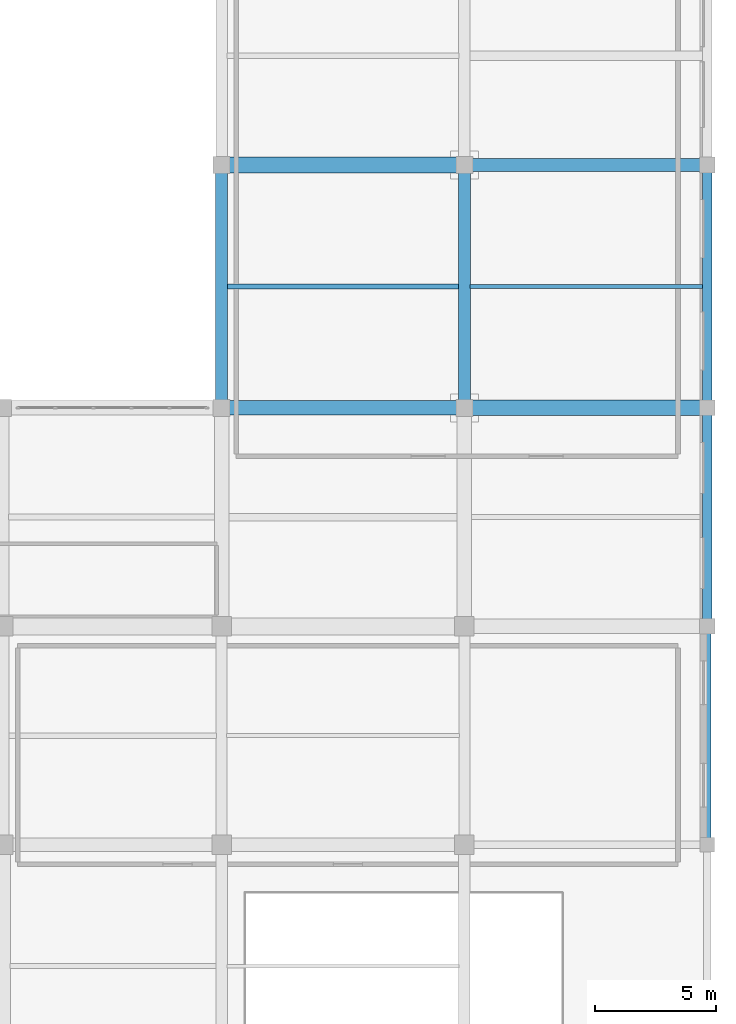
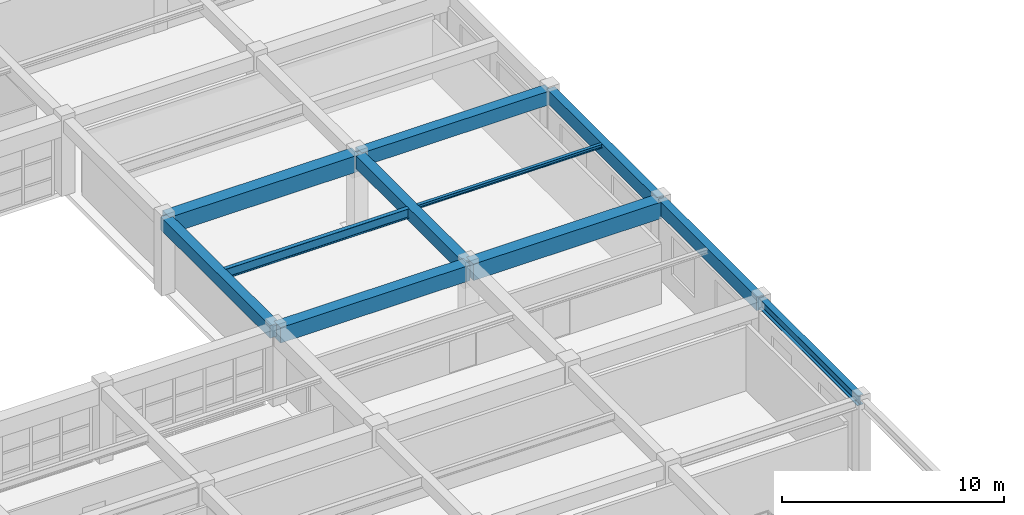
# One storey, part 85 of 133: 11 beams.
"""IFC4 building model written with IfcOpenShell, lengths in metres."""

from ifc_helpers import new_model, si_unit, direction, frame, origin, origin_2d, place, context, subcontext, project, spatial, rectangle, i_section, extrude, material, material_profile, profile_set, type_object, element, save


model = new_model("IFC4")

# Units and contexts
model_context = context("Model", 3, precision=1e-05, world=origin(), true_north=direction((0.0, 1.0)))
body_context = subcontext(model_context, "Body", "Model", "MODEL_VIEW")
ifc_project = project(units=[si_unit("LENGTHUNIT", "METRE"), si_unit("AREAUNIT", "SQUARE_METRE"), si_unit("VOLUMEUNIT", "CUBIC_METRE"), si_unit("PLANEANGLEUNIT", "RADIAN"), si_unit("MASSUNIT", "GRAM", prefix="KILO")], contexts=[model_context])

# Site, building, storey
site_placement = place(None, origin())
site = spatial("IfcSite", under=ifc_project, at=site_placement, CompositionType="ELEMENT")
building_placement = place(site_placement, origin())
building = spatial("IfcBuilding", under=site, at=building_placement, Name="Miravela Opera House", CompositionType="ELEMENT")
storey_placement = place(building_placement, frame((0.0, 0.0, 5.10009765625)))
storey = spatial("IfcBuildingStorey", under=building, at=storey_placement, Name="L01", CompositionType="ELEMENT", Elevation=5.10009765625)

# Beams
ifc_material_1 = material(Name="Concrete C35/45", Category="concrete")
ifc_material_profile_1 = material_profile(ifc_material_1, rectangle(XDim=0.5, YDim=0.699951171875, at=origin_2d()), Name="RC-BM-500X700")
ifc_profile_set_1 = profile_set([ifc_material_profile_1])
beam_type_1 = type_object("IfcBeamType", Name="STR-BM-RC500X700", PredefinedType="BEAM", material=ifc_profile_set_1)
for number, where, z_axis, x_axis, name in (
    (1, (144.0, 84.080078125, 3.809814453125), (0.0, 1.0, 0.0), (-1.0, 0.0, 0.0), "Floor Girder L01 17/J-K"),
    (2, (154.0, 84.080078125, 3.809814453125), (0.0, 1.0, 0.0), (-1.0, 0.0, 0.0), "Floor Girder L01 18/J-K"),
):
    element("IfcBeam", number, at=place(storey_placement, frame(where, z_axis=z_axis, x_axis=x_axis)), inside=storey, type_object=beam_type_1, Name=name, PredefinedType="BEAM", context=body_context, shape_type="SweptSolid", body=[
        extrude(rectangle(XDim=0.5, YDim=0.699951171875, at=origin_2d()), origin(), (0.0, 0.0, 1.0), 9.83984375),
    ])
ifc_material_profile_2 = material_profile(ifc_material_1, rectangle(XDim=0.550048828125, YDim=0.75, at=origin_2d()), Name="RC-BM-550X750")
ifc_profile_set_2 = profile_set([ifc_material_profile_2])
beam_type_2 = type_object("IfcBeamType", Name="STR-BM-RC550X750", PredefinedType="BEAM", material=ifc_profile_set_2)
beam_1_placement = place(storey_placement, frame((154.080078125, 94.0, 3.784912109375), z_axis=(1.0, 0.0, 0.0), x_axis=(0.0, 1.0, 0.0)))
element("IfcBeam", 3, at=beam_1_placement, inside=storey, type_object=beam_type_2, Name="Floor Girder L01 18-19/K", PredefinedType="BEAM", context=body_context, shape_type="SweptSolid", body=[
    extrude(rectangle(XDim=0.550048828125, YDim=0.75, at=origin_2d()), origin(), (0.0, 0.0, 1.0), 9.83984375),
])
ifc_material_2 = material(Name="Concrete C40/50", Category="concrete")
ifc_material_profile_3 = material_profile(ifc_material_2, rectangle(XDim=0.60009765625, YDim=0.85009765625, at=origin_2d()), Name="RC-BM-600X850")
ifc_profile_set_3 = profile_set([ifc_material_profile_3])
beam_type_3 = type_object("IfcBeamType", Name="STR-BM-RC600X850", PredefinedType="BEAM", material=ifc_profile_set_3)
beam_2_placement = place(storey_placement, frame((144.080078125, 84.0, 3.73486328125), z_axis=(1.0, 0.0, 0.0), x_axis=(0.0, 1.0, 0.0)))
element("IfcBeam", 4, at=beam_2_placement, inside=storey, type_object=beam_type_3, Name="Floor Girder L01 17-18/J", PredefinedType="BEAM", context=body_context, shape_type="SweptSolid", body=[
    extrude(rectangle(XDim=0.60009765625, YDim=0.85009765625, at=origin_2d()), origin(), (0.0, 0.0, 1.0), 9.83984375),
])
ifc_material_profile_4 = material_profile(ifc_material_2, rectangle(XDim=0.64990234375, YDim=0.89990234375, at=origin_2d()), Name="RC-BM-650X900")
ifc_profile_set_4 = profile_set([ifc_material_profile_4])
beam_type_4 = type_object("IfcBeamType", Name="STR-BM-RC650X900", PredefinedType="BEAM", material=ifc_profile_set_4)
for number, where, z_axis, x_axis, name in (
    (5, (144.080078125, 94.0, 3.7099609375), (1.0, 0.0, 0.0), (0.0, 1.0, 0.0), "Floor Girder L01 17-18/K"),
    (6, (154.080078125, 84.0, 3.7099609375), (1.0, 0.0, 0.0), (0.0, 1.0, 0.0), "Floor Girder L01 18-19/J"),
):
    element("IfcBeam", number, at=place(storey_placement, frame(where, z_axis=z_axis, x_axis=x_axis)), inside=storey, type_object=beam_type_4, Name=name, PredefinedType="BEAM", context=body_context, shape_type="SweptSolid", body=[
        extrude(rectangle(XDim=0.64990234375, YDim=0.89990234375, at=origin_2d()), origin(), (0.0, 0.0, 1.0), 9.83984375),
    ])
ifc_material_3 = material(Name="Structural steel ASTM A992 Gr. 50", Category="steel")
ifc_material_profile_5 = material_profile(ifc_material_3, i_section(OverallWidth=0.1650390625, OverallDepth=0.200927734375, WebThickness=0.006103515625, FlangeThickness=0.01025390625, FilletRadius=0.010009765625, at=origin_2d()), Name="W200X36")
ifc_profile_set_5 = profile_set([ifc_material_profile_5])
beam_type_5 = type_object("IfcBeamType", Name="STR-BM-W200X36", PredefinedType="LINTEL", material=ifc_profile_set_5)
beam_3_placement = place(storey_placement, frame((154.235107421875, 89.0, 4.059326171875), z_axis=(1.0, 0.0, 0.0), x_axis=(0.0, 1.0, 0.0)))
element("IfcBeam", 7, at=beam_3_placement, inside=storey, type_object=beam_type_5, Name="Secondary Floor Joist L01 18-19/J-K", PredefinedType="LINTEL", context=body_context, shape_type="SweptSolid", body=[
    extrude(i_section(OverallWidth=0.1650390625, OverallDepth=0.200927734375, WebThickness=0.006103515625, FlangeThickness=0.01025390625, FilletRadius=0.010009765625, at=origin_2d()), origin(), (0.0, 0.0, 1.0), 9.579833984375),
])
ifc_material_profile_6 = material_profile(ifc_material_3, i_section(OverallWidth=0.31201171875, OverallDepth=0.54296875, WebThickness=0.0126953125, FlangeThickness=0.020263671875, FilletRadius=0.01611328125, at=origin_2d()), Name="W530X150")
ifc_profile_set_6 = profile_set([ifc_material_profile_6])
beam_type_6 = type_object("IfcBeamType", Name="STR-BM-W530X150", PredefinedType="BEAM", material=ifc_profile_set_6)
beam_4_placement = place(storey_placement, frame((164.0, 66.080078125, 3.908447265625), z_axis=(0.0, 1.0, 0.0), x_axis=(-1.0, 0.0, 0.0)))
element("IfcBeam", 8, at=beam_4_placement, inside=storey, type_object=beam_type_6, Name="Roof Eave Girder ROOF-V4-FAR-E E8", PredefinedType="BEAM", context=body_context, shape_type="SweptSolid", body=[
    extrude(i_section(OverallWidth=0.31201171875, OverallDepth=0.54296875, WebThickness=0.0126953125, FlangeThickness=0.020263671875, FilletRadius=0.01611328125, at=origin_2d()), origin(), (0.0, 0.0, 1.0), 8.83984375),
])
ifc_material_profile_7 = material_profile(ifc_material_3, i_section(OverallWidth=0.208984375, OverallDepth=0.532958984375, WebThickness=0.01025390625, FlangeThickness=0.015625, FilletRadius=0.014892578125, at=origin_2d()), Name="W530X92")
ifc_profile_set_7 = profile_set([ifc_material_profile_7])
beam_type_7 = type_object("IfcBeamType", Name="STR-BM-W530X92", PredefinedType="BEAM", material=ifc_profile_set_7)
beam_5_placement = place(storey_placement, frame((144.235107421875, 89.0, 3.893310546875), z_axis=(1.0, 0.0, 0.0), x_axis=(0.0, 1.0, 0.0)))
element("IfcBeam", 9, at=beam_5_placement, inside=storey, type_object=beam_type_7, Name="Secondary Floor Joist L01 17-18/J-K", PredefinedType="BEAM", context=body_context, shape_type="SweptSolid", body=[
    extrude(i_section(OverallWidth=0.208984375, OverallDepth=0.532958984375, WebThickness=0.01025390625, FlangeThickness=0.015625, FilletRadius=0.014892578125, at=origin_2d()), origin(), (0.0, 0.0, 1.0), 9.52978515625),
])
ifc_material_profile_8 = material_profile(ifc_material_1, rectangle(XDim=0.39990234375, YDim=0.75, at=origin_2d()), Name="RC-SPN-400X750")
ifc_profile_set_8 = profile_set([ifc_material_profile_8])
beam_type_8 = type_object("IfcBeamType", Name="STR-SPN-RC400X750", PredefinedType="SPANDREL", material=ifc_profile_set_8)
beam_6_placement = place(storey_placement, frame((164.0, 75.080078125, 3.784912109375), z_axis=(0.0, 1.0, 0.0), x_axis=(-1.0, 0.0, 0.0)))
element("IfcBeam", 10, at=beam_6_placement, inside=storey, type_object=beam_type_8, Name="Floor Girder L01 19/I-J", PredefinedType="SPANDREL", context=body_context, shape_type="SweptSolid", body=[
    extrude(rectangle(XDim=0.39990234375, YDim=0.75, at=origin_2d()), origin(), (0.0, 0.0, 1.0), 8.83984375),
])
beam_7_placement = place(storey_placement, frame((164.0, 84.080078125, 3.784912109375), z_axis=(0.0, 1.0, 0.0), x_axis=(-1.0, 0.0, 0.0)))
element("IfcBeam", 11, at=beam_7_placement, inside=storey, type_object=beam_type_8, Name="Floor Girder L01 19/J-K", PredefinedType="SPANDREL", context=body_context, shape_type="SweptSolid", body=[
    extrude(rectangle(XDim=0.39990234375, YDim=0.75, at=origin_2d()), origin(), (0.0, 0.0, 1.0), 9.83984375),
])

save(model, "model.ifc")
